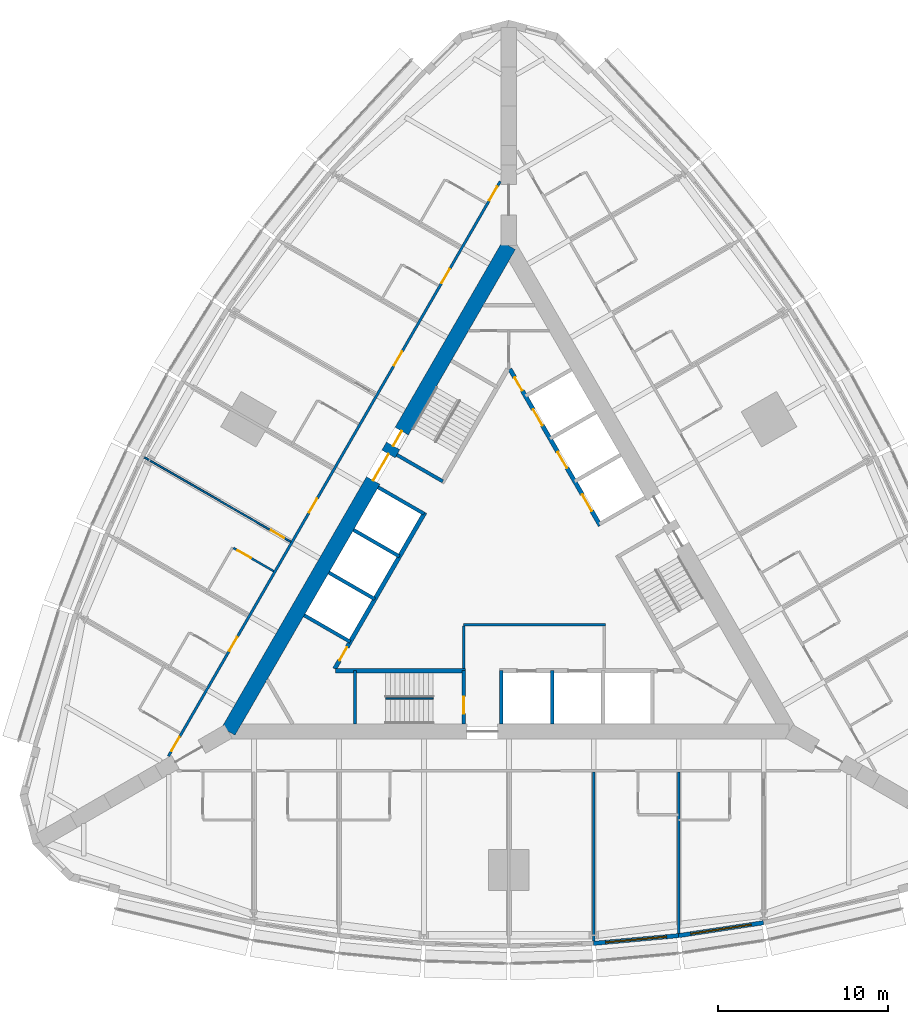
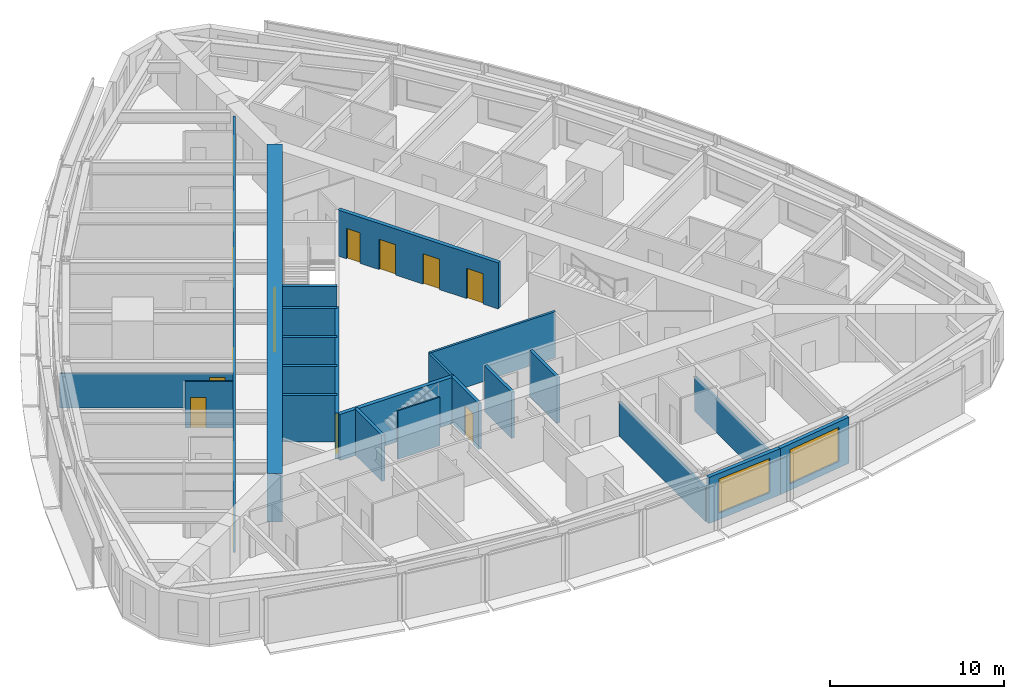
# One storey, part 9 of 14: 23 walls, 16 doors, 2 windows, 18 openings.
"""IFC4 building model written with IfcOpenShell, lengths in metres."""

from ifc_helpers import new_model, si_unit, direction, frame, frame_2d, origin, place, context, subcontext, project, spatial, rectangle, extrude, material, layer, layer_set, type_object, element, fill, save


model = new_model("IFC4")

# Units and contexts
model_context = context("Model", 3, precision=1e-05, world=origin(), true_north=direction((0.0, 1.0)))
body_context = subcontext(model_context, "Body", "Model", "MODEL_VIEW")
ifc_project = project(units=[si_unit("LENGTHUNIT", "METRE"), si_unit("AREAUNIT", "SQUARE_METRE"), si_unit("VOLUMEUNIT", "CUBIC_METRE"), si_unit("PLANEANGLEUNIT", "RADIAN"), si_unit("MASSUNIT", "GRAM", prefix="KILO")], contexts=[model_context])

# Site, building, storey
site_placement = place(None, origin())
site = spatial("IfcSite", under=ifc_project, at=site_placement, CompositionType="ELEMENT")
building_placement = place(site_placement, origin())
building = spatial("IfcBuilding", under=site, at=building_placement, Name="Trikona Tower", CompositionType="ELEMENT")
storey_placement = place(building_placement, frame((0.0, 0.0, 42.10009765625)))
storey = spatial("IfcBuildingStorey", under=building, at=storey_placement, Name="L09", CompositionType="ELEMENT", Elevation=42.10009765625)

# Wall, opening, door
ifc_material_1 = material(Name="Metal stud and cement board", Category="gypsum")
ifc_layer_1 = layer(ifc_material_1, 0.1201171875)
ifc_layer_set_1 = layer_set([ifc_layer_1], Name="Bathroom wall 120")
wall_type_1 = type_object("IfcWallType", Name="Bathroom wall 120", PredefinedType="PLUMBINGWALL", material=ifc_layer_set_1)
wall_1_placement = place(storey_placement, frame((-13.82861328125, -0.09912109375, 0.0), z_axis=(0.0, 0.0, 1.0), x_axis=(-0.865997131366, 0.500048966069, 0.0)))
wall_1 = element("IfcWall", 1, at=wall_1_placement, inside=storey, type_object=wall_type_1, Name="Bathroom wall 0916.1", PredefinedType="PLUMBINGWALL", context=body_context, shape_type="SweptSolid", body=[
    extrude(rectangle(XDim=2.739990234375, YDim=0.1201171875, at=frame_2d((1.3701171875, 0.0))), origin(), (0.0, 0.0, 1.0), 3.23486328125),
])
opening_1_placement = place(wall_1_placement, frame((1.550048828125, 0.0, 0.0)))
opening_1 = element("IfcOpeningElement", 2, at=opening_1_placement, cuts=wall_1, Name="Opening D2", PredefinedType="OPENING", context=body_context, shape_type="SweptSolid", body=[
    extrude(rectangle(XDim=0.89990234375, YDim=2.1298828125, at=frame_2d((0.449951171875, 1.06494140625))), frame((0.0, 0.070068359375, 0.0), z_axis=(0.0, -1.0, 0.0), x_axis=(1.0, 0.0, 0.0)), (0.0, 0.0, 1.0), 0.14013671875),
])
ifc_material_2 = material(Name="Steel door frame with solid-core timber leaf", Category="steel")
door_type_1 = type_object("IfcDoorType", Name="Bathroom door 900x2130", OperationType="SLIDING_TO_LEFT", PredefinedType="DOOR", material=ifc_material_2)
door_1_placement = place(opening_1_placement, origin())
door_1 = element("IfcDoor", 3, at=door_1_placement, inside=storey, type_object=door_type_1, Name="Bathroom door 0916.1", OperationType="SLIDING_TO_LEFT", OverallHeight=2.1298828125, OverallWidth=0.89990234375, PredefinedType="DOOR", context=body_context, shape_type="SweptSolid", body=[
    extrude(rectangle(XDim=0.89990234375, YDim=2.1298828125, at=frame_2d((0.449951171875, 1.06494140625))), frame((0.0, 0.02490234375, 0.0), z_axis=(0.0, -1.0, 0.0), x_axis=(1.0, 0.0, 0.0)), (0.0, 0.0, 1.0), 0.050048828125),
])
fill(opening_1, door_1)

# Wall, openings, doors
ifc_material_3 = material(Name="Concrete f'c 10000 psi", Category="concrete")
ifc_layer_2 = layer(ifc_material_3, 0.89990234375)
ifc_layer_set_2 = layer_set([ifc_layer_2], Name="Core wall 900")
wall_type_2 = type_object("IfcWallType", Name="Core wall 900", PredefinedType="SHEAR", material=ifc_layer_set_2)
wall_2_placement = place(storey_placement, frame((0.0, 19.052490234375, 0.0), z_axis=(0.0, 0.0, 1.0), x_axis=(-0.499999749417, -0.866025548458, 0.0)))
wall_2 = element("IfcWall", 4, at=wall_2_placement, inside=storey, type_object=wall_type_2, Name="Core wall C", PredefinedType="SHEAR", context=body_context, shape_type="SweptSolid", body=[
    extrude(rectangle(XDim=33.0, YDim=0.89990234375, at=frame_2d((16.5, 0.0))), origin(), (0.0, 0.0, 1.0), 3.39990234375),
])
opening_2_placement = place(wall_2_placement, frame((14.14990234375, 0.0, 0.0)))
opening_2 = element("IfcOpeningElement", 5, at=opening_2_placement, cuts=wall_2, Name="Opening D6", PredefinedType="OPENING", context=body_context, shape_type="SweptSolid", body=[
    extrude(rectangle(XDim=1.800048828125, YDim=2.1298828125, at=frame_2d((0.89990234375, 1.06494140625))), frame((0.0, 0.4599609375, 0.0), z_axis=(0.0, -1.0, 0.0), x_axis=(1.0, 0.0, 0.0)), (0.0, 0.0, 1.0), 0.919921875),
])
opening_3_placement = place(wall_2_placement, frame((12.60009765625, 0.0, 0.0)))
opening_3 = element("IfcOpeningElement", 6, at=opening_3_placement, cuts=wall_2, Name="Opening D5", PredefinedType="OPENING", context=body_context, shape_type="SweptSolid", body=[
    extrude(rectangle(XDim=1.0, YDim=2.1298828125, at=frame_2d((0.5, 1.06494140625))), frame((0.0, 0.4599609375, 0.0), z_axis=(0.0, -1.0, 0.0), x_axis=(1.0, 0.0, 0.0)), (0.0, 0.0, 1.0), 0.919921875),
])
ifc_material_4 = material(Name="Hollow metal door and frame", Category="steel")
door_type_2 = type_object("IfcDoorType", Name="Lobby door pair 1800x2130", OperationType="DOUBLE_DOOR_SINGLE_SWING", PredefinedType="DOOR", material=ifc_material_4)
door_2_placement = place(opening_2_placement, origin())
door_2 = element("IfcDoor", 7, at=door_2_placement, inside=storey, type_object=door_type_2, Name="Lift lobby door C", OperationType="DOUBLE_DOOR_SINGLE_SWING", OverallHeight=2.1298828125, OverallWidth=1.800048828125, PredefinedType="DOOR", context=body_context, shape_type="SweptSolid", body=[
    extrude(rectangle(XDim=1.800048828125, YDim=2.1298828125, at=frame_2d((0.89990234375, 1.06494140625))), frame((0.0, 0.02490234375, 0.0), z_axis=(0.0, -1.0, 0.0), x_axis=(1.0, 0.0, 0.0)), (0.0, 0.0, 1.0), 0.050048828125),
])
fill(opening_2, door_2)
ifc_material_5 = material(Name="Hollow metal door and frame", Category="steel")
door_type_3 = type_object("IfcDoorType", Name="Stair door 1000x2130", OperationType="SINGLE_SWING_LEFT", PredefinedType="DOOR", material=ifc_material_5)
door_3_placement = place(opening_3_placement, origin())
door_3 = element("IfcDoor", 8, at=door_3_placement, inside=storey, type_object=door_type_3, Name="Stair C door", OperationType="SINGLE_SWING_RIGHT", OverallHeight=2.1298828125, OverallWidth=1.0, PredefinedType="DOOR", context=body_context, shape_type="SweptSolid", body=[
    extrude(rectangle(XDim=1.0, YDim=2.1298828125, at=frame_2d((0.5, 1.06494140625))), frame((0.0, 0.02490234375, 0.0), z_axis=(0.0, -1.0, 0.0), x_axis=(1.0, 0.0, 0.0)), (0.0, 0.0, 1.0), 0.050048828125),
])
fill(opening_3, door_3)

ifc_material_6 = material(Name="Metal stud and gypsum board, 1-hour", Category="gypsum")
ifc_layer_3 = layer(ifc_material_6, 0.14990234375)
ifc_layer_set_3 = layer_set([ifc_layer_3], Name="Corridor wall 150")
wall_type_3 = type_object("IfcWallType", Name="Corridor wall 150", PredefinedType="PARTITIONING", material=ifc_layer_set_3)
wall_3_placement = place(storey_placement, frame((-0.5, 22.83642578125, 0.0), z_axis=(0.0, 0.0, 1.0), x_axis=(-0.500001677587, -0.866024435227, 0.0)))
wall_3 = element("IfcWall", 9, at=wall_3_placement, inside=storey, type_object=wall_type_3, Name="Corridor wall L09-3", PredefinedType="PARTITIONING", context=body_context, shape_type="SweptSolid", body=[
    extrude(rectangle(XDim=39.053955078125, YDim=0.14990234375, at=frame_2d((19.52685546875, 0.0))), origin(), (0.0, 0.0, 1.0), 3.23486328125),
])
opening_4_placement = place(wall_3_placement, frame((0.35205078125, 0.0, 0.0)))
opening_4 = element("IfcOpeningElement", 10, at=opening_4_placement, cuts=wall_3, Name="Opening D1", PredefinedType="OPENING", context=body_context, shape_type="SweptSolid", body=[
    extrude(rectangle(XDim=0.949951171875, YDim=2.1298828125, at=frame_2d((0.47509765625, 1.06494140625))), frame((0.0, 0.0849609375, 0.0), z_axis=(0.0, -1.0, 0.0), x_axis=(1.0, 0.0, 0.0)), (0.0, 0.0, 1.0), 0.169921875),
])
opening_5_placement = place(wall_3_placement, frame((5.951904296875, 0.0, 0.0)))
opening_5 = element("IfcOpeningElement", 11, at=opening_5_placement, cuts=wall_3, Name="Opening D1", PredefinedType="OPENING", context=body_context, shape_type="SweptSolid", body=[
    extrude(rectangle(XDim=0.949951171875, YDim=2.1298828125, at=frame_2d((0.47509765625, 1.06494140625))), frame((0.0, 0.0849609375, 0.0), z_axis=(0.0, -1.0, 0.0), x_axis=(1.0, 0.0, 0.0)), (0.0, 0.0, 1.0), 0.169921875),
])
opening_6_placement = place(wall_3_placement, frame((11.552001953125, 0.0, 0.0)))
opening_6 = element("IfcOpeningElement", 12, at=opening_6_placement, cuts=wall_3, Name="Opening D1", PredefinedType="OPENING", context=body_context, shape_type="SweptSolid", body=[
    extrude(rectangle(XDim=0.949951171875, YDim=2.1298828125, at=frame_2d((0.47509765625, 1.06494140625))), frame((0.0, 0.0849609375, 0.0), z_axis=(0.0, -1.0, 0.0), x_axis=(1.0, 0.0, 0.0)), (0.0, 0.0, 1.0), 0.169921875),
])
opening_7_placement = place(wall_3_placement, frame((21.552001953125, 0.0, 0.0)))
opening_7 = element("IfcOpeningElement", 13, at=opening_7_placement, cuts=wall_3, Name="Opening D1", PredefinedType="OPENING", context=body_context, shape_type="SweptSolid", body=[
    extrude(rectangle(XDim=0.949951171875, YDim=2.1298828125, at=frame_2d((0.47509765625, 1.06494140625))), frame((0.0, 0.0849609375, 0.0), z_axis=(0.0, -1.0, 0.0), x_axis=(1.0, 0.0, 0.0)), (0.0, 0.0, 1.0), 0.169921875),
])
opening_8_placement = place(wall_3_placement, frame((30.951904296875, 0.0, 0.0)))
opening_8 = element("IfcOpeningElement", 14, at=opening_8_placement, cuts=wall_3, Name="Opening D1", PredefinedType="OPENING", context=body_context, shape_type="SweptSolid", body=[
    extrude(rectangle(XDim=0.949951171875, YDim=2.1298828125, at=frame_2d((0.47509765625, 1.06494140625))), frame((0.0, 0.0849609375, 0.0), z_axis=(0.0, -1.0, 0.0), x_axis=(1.0, 0.0, 0.0)), (0.0, 0.0, 1.0), 0.169921875),
])
opening_9_placement = place(wall_3_placement, frame((37.751953125, 0.0, 0.0)))
opening_9 = element("IfcOpeningElement", 15, at=opening_9_placement, cuts=wall_3, Name="Opening D1", PredefinedType="OPENING", context=body_context, shape_type="SweptSolid", body=[
    extrude(rectangle(XDim=0.949951171875, YDim=2.1298828125, at=frame_2d((0.47509765625, 1.06494140625))), frame((0.0, 0.0849609375, 0.0), z_axis=(0.0, -1.0, 0.0), x_axis=(1.0, 0.0, 0.0)), (0.0, 0.0, 1.0), 0.169921875),
])
ifc_material_7 = material(Name="Steel door frame with solid-core timber leaf", Category="steel")
door_type_4 = type_object("IfcDoorType", Name="Guest room door 950x2130", OperationType="SINGLE_SWING_LEFT", PredefinedType="DOOR", material=ifc_material_7)
door_4_placement = place(opening_4_placement, origin())
door_4 = element("IfcDoor", 16, at=door_4_placement, inside=storey, type_object=door_type_4, Name="Room door 0913", OperationType="SINGLE_SWING_LEFT", OverallHeight=2.1298828125, OverallWidth=0.949951171875, PredefinedType="DOOR", context=body_context, shape_type="SweptSolid", body=[
    extrude(rectangle(XDim=0.949951171875, YDim=2.1298828125, at=frame_2d((0.47509765625, 1.06494140625))), frame((0.0, 0.02490234375, 0.0), z_axis=(0.0, -1.0, 0.0), x_axis=(1.0, 0.0, 0.0)), (0.0, 0.0, 1.0), 0.050048828125),
])
fill(opening_4, door_4)
door_5_placement = place(opening_5_placement, origin())
door_5 = element("IfcDoor", 17, at=door_5_placement, inside=storey, type_object=door_type_4, Name="Room door 0914", OperationType="SINGLE_SWING_RIGHT", OverallHeight=2.1298828125, OverallWidth=0.949951171875, PredefinedType="DOOR", context=body_context, shape_type="SweptSolid", body=[
    extrude(rectangle(XDim=0.949951171875, YDim=2.1298828125, at=frame_2d((0.47509765625, 1.06494140625))), frame((0.0, 0.02490234375, 0.0), z_axis=(0.0, -1.0, 0.0), x_axis=(1.0, 0.0, 0.0)), (0.0, 0.0, 1.0), 0.050048828125),
])
fill(opening_5, door_5)
door_6_placement = place(opening_6_placement, origin())
door_6 = element("IfcDoor", 18, at=door_6_placement, inside=storey, type_object=door_type_4, Name="Room door 0915", OperationType="SINGLE_SWING_LEFT", OverallHeight=2.1298828125, OverallWidth=0.949951171875, PredefinedType="DOOR", context=body_context, shape_type="SweptSolid", body=[
    extrude(rectangle(XDim=0.949951171875, YDim=2.1298828125, at=frame_2d((0.47509765625, 1.06494140625))), frame((0.0, 0.02490234375, 0.0), z_axis=(0.0, -1.0, 0.0), x_axis=(1.0, 0.0, 0.0)), (0.0, 0.0, 1.0), 0.050048828125),
])
fill(opening_6, door_6)
door_7_placement = place(opening_7_placement, origin())
door_7 = element("IfcDoor", 19, at=door_7_placement, inside=storey, type_object=door_type_4, Name="Room door 0916", OperationType="SINGLE_SWING_RIGHT", OverallHeight=2.1298828125, OverallWidth=0.949951171875, PredefinedType="DOOR", context=body_context, shape_type="SweptSolid", body=[
    extrude(rectangle(XDim=0.949951171875, YDim=2.1298828125, at=frame_2d((0.47509765625, 1.06494140625))), frame((0.0, 0.02490234375, 0.0), z_axis=(0.0, -1.0, 0.0), x_axis=(1.0, 0.0, 0.0)), (0.0, 0.0, 1.0), 0.050048828125),
])
fill(opening_7, door_7)
door_8_placement = place(opening_8_placement, origin())
door_8 = element("IfcDoor", 20, at=door_8_placement, inside=storey, type_object=door_type_4, Name="Room door 0917", OperationType="SINGLE_SWING_LEFT", OverallHeight=2.1298828125, OverallWidth=0.949951171875, PredefinedType="DOOR", context=body_context, shape_type="SweptSolid", body=[
    extrude(rectangle(XDim=0.949951171875, YDim=2.1298828125, at=frame_2d((0.47509765625, 1.06494140625))), frame((0.0, 0.02490234375, 0.0), z_axis=(0.0, -1.0, 0.0), x_axis=(1.0, 0.0, 0.0)), (0.0, 0.0, 1.0), 0.050048828125),
])
fill(opening_8, door_8)
door_9_placement = place(opening_9_placement, origin())
door_9 = element("IfcDoor", 21, at=door_9_placement, inside=storey, type_object=door_type_4, Name="Room door 0918", OperationType="SINGLE_SWING_RIGHT", OverallHeight=2.1298828125, OverallWidth=0.949951171875, PredefinedType="DOOR", context=body_context, shape_type="SweptSolid", body=[
    extrude(rectangle(XDim=0.949951171875, YDim=2.1298828125, at=frame_2d((0.47509765625, 1.06494140625))), frame((0.0, 0.02490234375, 0.0), z_axis=(0.0, -1.0, 0.0), x_axis=(1.0, 0.0, 0.0)), (0.0, 0.0, 1.0), 0.050048828125),
])
fill(opening_9, door_9)

# Wall
ifc_material_8 = material(Name="Concrete f'c 8000 psi", Category="concrete")
ifc_layer_4 = layer(ifc_material_8, 0.25)
ifc_layer_set_4 = layer_set([ifc_layer_4], Name="Hub wall 250")
wall_type_4 = type_object("IfcWallType", Name="Hub wall 250", PredefinedType="SOLIDWALL", material=ifc_layer_set_4)
wall_4_placement = place(storey_placement, frame((-10.182861328125, -5.951416015625, 0.0), z_axis=(0.0, 0.0, 1.0), x_axis=(1.0, 0.0, 0.0)))
element("IfcWall", 22, at=wall_4_placement, inside=storey, type_object=wall_type_4, Name="Lift lobby wall A1", PredefinedType="SOLIDWALL", context=body_context, shape_type="SweptSolid", body=[
    extrude(rectangle(XDim=7.6328125, YDim=0.25, at=frame_2d((3.81640625, 0.0))), origin(), (0.0, 0.0, 1.0), 3.23486328125),
])

# Wall, openings, doors
wall_5_placement = place(storey_placement, frame((5.37890625, 2.5859375, 0.0), z_axis=(0.0, 0.0, 1.0), x_axis=(-0.500001375892, 0.866024609411, 0.0)))
wall_5 = element("IfcWall", 23, at=wall_5_placement, inside=storey, type_object=wall_type_4, Name="Lift lobby wall B2", PredefinedType="SOLIDWALL", context=body_context, shape_type="SweptSolid", body=[
    extrude(rectangle(XDim=10.6328125, YDim=0.25, at=frame_2d((5.31640625, 0.0))), origin(), (0.0, 0.0, 1.0), 3.23486328125),
])
opening_10_placement = place(wall_5_placement, frame((9.1640625, 0.0, 0.0)))
opening_10 = element("IfcOpeningElement", 24, at=opening_10_placement, cuts=wall_5, Name="Opening D14", PredefinedType="OPENING", context=body_context, shape_type="SweptSolid", body=[
    extrude(rectangle(XDim=0.89990234375, YDim=2.1298828125, at=frame_2d((0.449951171875, 1.06494140625))), frame((0.0, 0.135009765625, 0.0), z_axis=(0.0, -1.0, 0.0), x_axis=(1.0, 0.0, 0.0)), (0.0, 0.0, 1.0), 0.27001953125),
])
opening_11_placement = place(wall_5_placement, frame((1.0, 0.0, 0.0)))
opening_11 = element("IfcOpeningElement", 25, at=opening_11_placement, cuts=wall_5, Name="Opening LD", PredefinedType="OPENING", context=body_context, shape_type="SweptSolid", body=[
    extrude(rectangle(XDim=1.10009765625, YDim=2.1298828125, at=frame_2d((0.550048828125, 1.06494140625))), frame((0.0, 0.135009765625, 0.0), z_axis=(0.0, -1.0, 0.0), x_axis=(1.0, 0.0, 0.0)), (0.0, 0.0, 1.0), 0.27001953125),
])
opening_12_placement = place(wall_5_placement, frame((3.89990234375, 0.0, 0.0)))
opening_12 = element("IfcOpeningElement", 26, at=opening_12_placement, cuts=wall_5, Name="Opening LD", PredefinedType="OPENING", context=body_context, shape_type="SweptSolid", body=[
    extrude(rectangle(XDim=1.10009765625, YDim=2.1298828125, at=frame_2d((0.550048828125, 1.06494140625))), frame((0.0, 0.135009765625, 0.0), z_axis=(0.0, -1.0, 0.0), x_axis=(1.0, 0.0, 0.0)), (0.0, 0.0, 1.0), 0.27001953125),
])
opening_13_placement = place(wall_5_placement, frame((6.800048828125, 0.0, 0.0)))
opening_13 = element("IfcOpeningElement", 27, at=opening_13_placement, cuts=wall_5, Name="Opening LD", PredefinedType="OPENING", context=body_context, shape_type="SweptSolid", body=[
    extrude(rectangle(XDim=1.10009765625, YDim=2.1298828125, at=frame_2d((0.550048828125, 1.06494140625))), frame((0.0, 0.135009765625, 0.0), z_axis=(0.0, -1.0, 0.0), x_axis=(1.0, 0.0, 0.0)), (0.0, 0.0, 1.0), 0.27001953125),
])
ifc_material_9 = material(Name="Stainless steel lift landing door", Category="steel")
door_type_5 = type_object("IfcDoorType", Name="Lift landing door 1100x2130", OperationType="DOUBLE_DOOR_SLIDING", PredefinedType="USERDEFINED", material=ifc_material_9)
door_10_placement = place(opening_11_placement, origin())
door_10 = element("IfcDoor", 28, at=door_10_placement, inside=storey, type_object=door_type_5, Name="Lift landing door L1-1", ObjectType="LIFT LANDING DOOR", OperationType="DOUBLE_DOOR_SLIDING", OverallHeight=2.1298828125, OverallWidth=1.10009765625, PredefinedType="USERDEFINED", context=body_context, shape_type="SweptSolid", body=[
    extrude(rectangle(XDim=1.10009765625, YDim=2.1298828125, at=frame_2d((0.550048828125, 1.06494140625))), frame((0.0, 0.02490234375, 0.0), z_axis=(0.0, -1.0, 0.0), x_axis=(1.0, 0.0, 0.0)), (0.0, 0.0, 1.0), 0.050048828125),
])
fill(opening_11, door_10)
door_11_placement = place(opening_12_placement, origin())
door_11 = element("IfcDoor", 29, at=door_11_placement, inside=storey, type_object=door_type_5, Name="Lift landing door L1-2", ObjectType="LIFT LANDING DOOR", OperationType="DOUBLE_DOOR_SLIDING", OverallHeight=2.1298828125, OverallWidth=1.10009765625, PredefinedType="USERDEFINED", context=body_context, shape_type="SweptSolid", body=[
    extrude(rectangle(XDim=1.10009765625, YDim=2.1298828125, at=frame_2d((0.550048828125, 1.06494140625))), frame((0.0, 0.02490234375, 0.0), z_axis=(0.0, -1.0, 0.0), x_axis=(1.0, 0.0, 0.0)), (0.0, 0.0, 1.0), 0.050048828125),
])
fill(opening_12, door_11)
door_12_placement = place(opening_13_placement, origin())
door_12 = element("IfcDoor", 30, at=door_12_placement, inside=storey, type_object=door_type_5, Name="Lift landing door L1-3", ObjectType="LIFT LANDING DOOR", OperationType="DOUBLE_DOOR_SLIDING", OverallHeight=2.1298828125, OverallWidth=1.10009765625, PredefinedType="USERDEFINED", context=body_context, shape_type="SweptSolid", body=[
    extrude(rectangle(XDim=1.10009765625, YDim=2.1298828125, at=frame_2d((0.550048828125, 1.06494140625))), frame((0.0, 0.02490234375, 0.0), z_axis=(0.0, -1.0, 0.0), x_axis=(1.0, 0.0, 0.0)), (0.0, 0.0, 1.0), 0.050048828125),
])
fill(opening_13, door_12)
ifc_material_10 = material(Name="Hollow metal door and frame", Category="steel")
door_type_6 = type_object("IfcDoorType", Name="Service room door 900x2130", OperationType="SINGLE_SWING_LEFT", PredefinedType="DOOR", material=ifc_material_10)
door_13_placement = place(opening_10_placement, origin())
door_13 = element("IfcDoor", 31, at=door_13_placement, inside=storey, type_object=door_type_6, Name="Door Ice and vending ICE", OperationType="SINGLE_SWING_RIGHT", OverallHeight=2.1298828125, OverallWidth=0.89990234375, PredefinedType="DOOR", context=body_context, shape_type="SweptSolid", body=[
    extrude(rectangle(XDim=0.89990234375, YDim=2.1298828125, at=frame_2d((0.449951171875, 1.06494140625))), frame((0.0, 0.02490234375, 0.0), z_axis=(0.0, -1.0, 0.0), x_axis=(1.0, 0.0, 0.0)), (0.0, 0.0, 1.0), 0.050048828125),
])
fill(opening_10, door_13)

# Wall, opening, door
wall_6_placement = place(storey_placement, frame((-4.928955078125, 3.365478515625, 0.0), z_axis=(0.0, 0.0, 1.0), x_axis=(-0.499991433582, -0.866030349552, 0.0)))
wall_6 = element("IfcWall", 32, at=wall_6_placement, inside=storey, type_object=wall_type_4, Name="Lift lobby wall C2", PredefinedType="SOLIDWALL", context=body_context, shape_type="SweptSolid", body=[
    extrude(rectangle(XDim=10.633056640625, YDim=0.25, at=frame_2d((5.31640625, 0.0))), origin(), (0.0, 0.0, 1.0), 3.23486328125),
])
opening_14_placement = place(wall_6_placement, frame((9.1640625, 0.0, 0.0)))
opening_14 = element("IfcOpeningElement", 33, at=opening_14_placement, cuts=wall_6, Name="Opening D14", PredefinedType="OPENING", context=body_context, shape_type="SweptSolid", body=[
    extrude(rectangle(XDim=0.89990234375, YDim=2.1298828125, at=frame_2d((0.449951171875, 1.06494140625))), frame((0.0, 0.135009765625, 0.0), z_axis=(0.0, -1.0, 0.0), x_axis=(1.0, 0.0, 0.0)), (0.0, 0.0, 1.0), 0.27001953125),
])
door_14_placement = place(opening_14_placement, origin())
door_14 = element("IfcDoor", 34, at=door_14_placement, inside=storey, type_object=door_type_6, Name="Door Linen store LIN", OperationType="SINGLE_SWING_RIGHT", OverallHeight=2.1298828125, OverallWidth=0.89990234375, PredefinedType="DOOR", context=body_context, shape_type="SweptSolid", body=[
    extrude(rectangle(XDim=0.89990234375, YDim=2.1298828125, at=frame_2d((0.449951171875, 1.06494140625))), frame((0.0, 0.02490234375, 0.0), z_axis=(0.0, -1.0, 0.0), x_axis=(1.0, 0.0, 0.0)), (0.0, 0.0, 1.0), 0.050048828125),
])
fill(opening_14, door_14)

# Wall, opening, window
ifc_material_11 = material(Name="Insulated precast concrete spandrel panel", Category="concrete")
ifc_layer_5 = layer(ifc_material_11, 0.25)
ifc_layer_set_5 = layer_set([ifc_layer_5], Name="Inner skin wall 250")
wall_type_5 = type_object("IfcWallType", Name="Inner skin wall 250", PredefinedType="STANDARD", material=ifc_layer_set_5)
wall_7_placement = place(storey_placement, frame((4.988525390625, -21.995849609375, 0.0), z_axis=(0.0, 0.0, 1.0), x_axis=(0.995857256774, 0.090930325692, 0.0)))
wall_7 = element("IfcWall", 35, at=wall_7_placement, inside=storey, type_object=wall_type_5, Name="External wall L09-05", PredefinedType="STANDARD", context=body_context, shape_type="SweptSolid", body=[
    extrude(rectangle(XDim=5.020751953125, YDim=0.25, at=frame_2d((2.51025390625, 0.0))), origin(), (0.0, 0.0, 1.0), 3.23486328125),
])
opening_15_placement = place(wall_7_placement, frame((0.71044921875, 0.0, 0.449951171875)))
opening_15 = element("IfcOpeningElement", 36, at=opening_15_placement, cuts=wall_7, Name="Opening W3624", PredefinedType="OPENING", context=body_context, shape_type="SweptSolid", body=[
    extrude(rectangle(XDim=3.60009765625, YDim=2.39990234375, at=frame_2d((1.800048828125, 1.199951171875))), frame((0.0, 0.135009765625, 0.0), z_axis=(0.0, -1.0, 0.0), x_axis=(1.0, 0.0, 0.0)), (0.0, 0.0, 1.0), 0.27001953125),
])
ifc_material_12 = material(Name="Aluminium-framed double glazing", Category="aluminium")
window_type = type_object("IfcWindowType", Name="Window 3600x2400", PartitioningType="SINGLE_PANEL", PredefinedType="WINDOW", material=ifc_material_12)
window_1_placement = place(opening_15_placement, origin())
window_1 = element("IfcWindow", 37, at=window_1_placement, inside=storey, type_object=window_type, Name="Window 0904", OverallHeight=2.39990234375, OverallWidth=3.60009765625, PartitioningType="SINGLE_PANEL", PredefinedType="WINDOW", context=body_context, shape_type="SweptSolid", body=[
    extrude(rectangle(XDim=3.60009765625, YDim=2.39990234375, at=frame_2d((1.800048828125, 1.199951171875))), frame((0.0, 0.030029296875, 0.0), z_axis=(0.0, -1.0, 0.0), x_axis=(1.0, 0.0, 0.0)), (0.0, 0.0, 1.0), 0.06005859375),
])
fill(opening_15, window_1)

wall_8_placement = place(storey_placement, frame((9.981201171875, -21.540283203125, 0.0), z_axis=(0.0, 0.0, 1.0), x_axis=(0.988615403399, 0.150464561152, 0.0)))
wall_8 = element("IfcWall", 38, at=wall_8_placement, inside=storey, type_object=wall_type_5, Name="External wall L09-06", PredefinedType="STANDARD", context=body_context, shape_type="SweptSolid", body=[
    extrude(rectangle(XDim=5.0576171875, YDim=0.25, at=frame_2d((2.52880859375, 0.0))), origin(), (0.0, 0.0, 1.0), 3.23486328125),
])
opening_16_placement = place(wall_8_placement, frame((0.728759765625, 0.0, 0.449951171875)))
opening_16 = element("IfcOpeningElement", 39, at=opening_16_placement, cuts=wall_8, Name="Opening W3624", PredefinedType="OPENING", context=body_context, shape_type="SweptSolid", body=[
    extrude(rectangle(XDim=3.60009765625, YDim=2.39990234375, at=frame_2d((1.800048828125, 1.199951171875))), frame((0.0, 0.135009765625, 0.0), z_axis=(0.0, -1.0, 0.0), x_axis=(1.0, 0.0, 0.0)), (0.0, 0.0, 1.0), 0.27001953125),
])
window_2_placement = place(opening_16_placement, origin())
window_2 = element("IfcWindow", 40, at=window_2_placement, inside=storey, type_object=window_type, Name="Window 0905.1", OverallHeight=2.39990234375, OverallWidth=3.60009765625, PartitioningType="SINGLE_PANEL", PredefinedType="WINDOW", context=body_context, shape_type="SweptSolid", body=[
    extrude(rectangle(XDim=3.60009765625, YDim=2.39990234375, at=frame_2d((1.800048828125, 1.199951171875))), frame((0.0, 0.030029296875, 0.0), z_axis=(0.0, -1.0, 0.0), x_axis=(1.0, 0.0, 0.0)), (0.0, 0.0, 1.0), 0.06005859375),
])
fill(opening_16, window_2)

# Walls
ifc_material_13 = material(Name="Metal stud and gypsum board, 2-hour shaft wall", Category="gypsum")
ifc_layer_6 = layer(ifc_material_13, 0.14990234375)
ifc_layer_set_6 = layer_set([ifc_layer_6], Name="Lobby wall 150")
wall_type_6 = type_object("IfcWallType", Name="Lobby wall 150", PredefinedType="PARTITIONING", material=ifc_layer_set_6)
wall_9_placement = place(storey_placement, frame((-2.64990234375, -3.251220703125, 0.0), z_axis=(0.0, 0.0, 1.0), x_axis=(1.0, 0.0, 0.0)))
element("IfcWall", 41, at=wall_9_placement, inside=storey, type_object=wall_type_6, Name="Fire service lift lobby wall 1", PredefinedType="PARTITIONING", context=body_context, shape_type="SweptSolid", body=[
    extrude(rectangle(XDim=8.349853515625, YDim=0.14990234375, at=frame_2d((4.1748046875, 0.0))), origin(), (0.0, 0.0, 1.0), 3.23486328125),
])
wall_10_placement = place(storey_placement, frame((-2.64990234375, -5.826416015625, 0.0), z_axis=(0.0, 0.0, 1.0), x_axis=(0.0, 1.0, 0.0)))
element("IfcWall", 42, at=wall_10_placement, inside=storey, type_object=wall_type_6, Name="Fire service lift lobby wall 2", PredefinedType="PARTITIONING", context=body_context, shape_type="SweptSolid", body=[
    extrude(rectangle(XDim=2.5, YDim=0.14990234375, at=frame_2d((1.25, 0.0))), origin(), (0.0, 0.0, 1.0), 3.23486328125),
])
ifc_material_14 = material(Name="Metal stud and gypsum board, 1-hour acoustic", Category="gypsum")
ifc_layer_7 = layer(ifc_material_14, 0.14990234375)
ifc_layer_set_7 = layer_set([ifc_layer_7], Name="Party wall 150")
wall_type_7 = type_object("IfcWallType", Name="Party wall 150", PredefinedType="PARTITIONING", material=ifc_layer_set_7)
wall_11_placement = place(storey_placement, frame((5.0, -11.92626953125, 0.0), z_axis=(0.0, 0.0, 1.0), x_axis=(0.0, -1.0, 0.0)))
element("IfcWall", 43, at=wall_11_placement, inside=storey, type_object=wall_type_7, Name="Partition L09 F1 u5", PredefinedType="PARTITIONING", context=body_context, shape_type="SweptSolid", body=[
    extrude(rectangle(XDim=9.943115234375, YDim=0.14990234375, at=frame_2d((4.9716796875, 0.0))), origin(), (0.0, 0.0, 1.0), 2.38916015625),
])
wall_12_placement = place(storey_placement, frame((10.0, -11.92626953125, 0.0), z_axis=(0.0, 0.0, 1.0), x_axis=(0.0, -1.0, 0.0)))
element("IfcWall", 44, at=wall_12_placement, inside=storey, type_object=wall_type_7, Name="Partition L09 F1 u10", PredefinedType="PARTITIONING", context=body_context, shape_type="SweptSolid", body=[
    extrude(rectangle(XDim=9.484619140625, YDim=0.14990234375, at=frame_2d((4.7421875, 0.0))), origin(), (0.0, 0.0, 1.0), 2.38916015625),
])
ifc_material_15 = material(Name="Concrete f'c 8000 psi", Category="concrete")
ifc_layer_8 = layer(ifc_material_15, 0.199951171875)
ifc_layer_set_8 = layer_set([ifc_layer_8], Name="Shaft wall 200")
wall_type_8 = type_object("IfcWallType", Name="Shaft wall 200", PredefinedType="SOLIDWALL", material=ifc_layer_set_8)
for number, where, z_axis, x_axis, name in (
    (45, (-0.449951171875, -5.951416015625, 0.0), (0.0, 0.0, 1.0), (0.0, -1.0, 0.0), "Shaft wall A3"),
    (46, (2.550048828125, -5.951416015625, 0.0), (0.0, 0.0, 1.0), (0.0, -1.0, 0.0), "Shaft wall A4"),
    (47, (-4.97900390625, 3.27880859375, 0.0), (0.0, 0.0, 1.0), (-0.866022959057, 0.500004234368, 0.0), "Shaft wall C3"),
    (48, (-6.428955078125, 0.767333984375, 0.0), (0.0, 0.0, 1.0), (-0.866022959057, 0.500004234368, 0.0), "Shaft wall C4"),
    (49, (-7.87890625, -1.744140625, 0.0), (0.0, 0.0, 1.0), (-0.866022959057, 0.500004234368, 0.0), "Shaft wall C5"),
    (50, (-9.3291015625, -4.255615234375, 0.0), (0.0, 0.0, 1.0), (-0.866022959057, 0.500004234368, 0.0), "Shaft wall C6"),
):
    element("IfcWall", number, at=place(storey_placement, frame(where, z_axis=z_axis, x_axis=x_axis)), inside=storey, type_object=wall_type_8, Name=name, PredefinedType="SOLIDWALL", context=body_context, shape_type="SweptSolid", body=[
        extrude(rectangle(XDim=3.125, YDim=0.199951171875, at=frame_2d((1.5625, 0.0))), origin(), (0.0, 0.0, 1.0), 3.23486328125),
    ])
ifc_material_16 = material(Name="Concrete f'c 8000 psi", Category="concrete")
ifc_layer_9 = layer(ifc_material_16, 0.199951171875)
ifc_layer_set_9 = layer_set([ifc_layer_9], Name="Shaft wall 200 load-bearing")
wall_type_9 = type_object("IfcWallType", Name="Shaft wall 200 load-bearing", PredefinedType="SOLIDWALL", material=ifc_layer_set_9)
wall_13_placement = place(storey_placement, frame((-9.050048828125, -5.951416015625, 0.0), z_axis=(0.0, 0.0, 1.0), x_axis=(0.0, -1.0, 0.0)))
element("IfcWall", 51, at=wall_13_placement, inside=storey, type_object=wall_type_9, Name="Shaft wall A1", PredefinedType="SOLIDWALL", context=body_context, shape_type="SweptSolid", body=[
    extrude(rectangle(XDim=3.125, YDim=0.199951171875, at=frame_2d((1.5625, 0.0))), origin(), (0.0, 0.0, 1.0), 3.23486328125),
])

# Wall, opening, door
wall_14_placement = place(storey_placement, frame((-2.64990234375, -5.951416015625, 0.0), z_axis=(0.0, 0.0, 1.0), x_axis=(0.0, -1.0, 0.0)))
wall_14 = element("IfcWall", 52, at=wall_14_placement, inside=storey, type_object=wall_type_9, Name="Shaft wall A2", PredefinedType="SOLIDWALL", context=body_context, shape_type="SweptSolid", body=[
    extrude(rectangle(XDim=3.125, YDim=0.199951171875, at=frame_2d((1.5625, 0.0))), origin(), (0.0, 0.0, 1.0), 3.23486328125),
])
opening_17_placement = place(wall_14_placement, frame((1.52490234375, 0.0, 0.0)))
opening_17 = element("IfcOpeningElement", 53, at=opening_17_placement, cuts=wall_14, Name="Opening D5", PredefinedType="OPENING", context=body_context, shape_type="SweptSolid", body=[
    extrude(rectangle(XDim=1.0, YDim=2.1298828125, at=frame_2d((0.5, 1.06494140625))), frame((0.0, 0.10986328125, 0.0), z_axis=(0.0, -1.0, 0.0), x_axis=(1.0, 0.0, 0.0)), (0.0, 0.0, 1.0), 0.219970703125),
])
door_15_placement = place(opening_17_placement, origin())
door_15 = element("IfcDoor", 54, at=door_15_placement, inside=storey, type_object=door_type_3, Name="Stair A door", OperationType="SINGLE_SWING_RIGHT", OverallHeight=2.1298828125, OverallWidth=1.0, PredefinedType="DOOR", context=body_context, shape_type="SweptSolid", body=[
    extrude(rectangle(XDim=1.0, YDim=2.1298828125, at=frame_2d((0.5, 1.06494140625))), frame((0.0, 0.02490234375, 0.0), z_axis=(0.0, -1.0, 0.0), x_axis=(1.0, 0.0, 0.0)), (0.0, 0.0, 1.0), 0.050048828125),
])
fill(opening_17, door_15)

# Walls
wall_15_placement = place(storey_placement, frame((-3.87890625, 5.18408203125, 0.0), z_axis=(0.0, 0.0, 1.0), x_axis=(-0.866022959057, 0.500004234368, 0.0)))
element("IfcWall", 55, at=wall_15_placement, inside=storey, type_object=wall_type_9, Name="Shaft wall C2", PredefinedType="SOLIDWALL", context=body_context, shape_type="SweptSolid", body=[
    extrude(rectangle(XDim=3.125, YDim=0.199951171875, at=frame_2d((1.5625, 0.0))), origin(), (0.0, 0.0, 1.0), 3.23486328125),
])
ifc_material_17 = material(Name="Concrete f'c 5000 psi", Category="concrete")
ifc_layer_10 = layer(ifc_material_17, 0.10009765625)
ifc_layer_set_10 = layer_set([ifc_layer_10], Name="Stair spine wall 100")
wall_type_10 = type_object("IfcWallType", Name="Stair spine wall 100", PredefinedType="SOLIDWALL", material=ifc_layer_set_10)
wall_16_placement = place(storey_placement, frame((-7.2470703125, -7.576416015625, 0.0), z_axis=(0.0, 0.0, 1.0), x_axis=(1.0, 0.0, 0.0)))
element("IfcWall", 56, at=wall_16_placement, inside=storey, type_object=wall_type_10, Name="Stair A spine wall L09", PredefinedType="SOLIDWALL", context=body_context, shape_type="SweptSolid", body=[
    extrude(rectangle(XDim=2.794189453125, YDim=0.10009765625, at=frame_2d((1.39697265625, 0.0))), origin(), (0.0, 0.0, 1.0), 3.39990234375),
])

# Wall, opening, door
ifc_material_18 = material(Name="Metal stud and gypsum board, acoustic", Category="gypsum")
ifc_layer_11 = layer(ifc_material_18, 0.10009765625)
ifc_layer_set_11 = layer_set([ifc_layer_11], Name="Suite partition 100")
wall_type_11 = type_object("IfcWallType", Name="Suite partition 100", PredefinedType="PARTITIONING", material=ifc_layer_set_11)
wall_17_placement = place(storey_placement, frame((-12.82861328125, 1.633056640625, 0.0), z_axis=(0.0, 0.0, 1.0), x_axis=(-0.866026934769, 0.499997348248, 0.0)))
wall_17 = element("IfcWall", 57, at=wall_17_placement, inside=storey, type_object=wall_type_11, Name="Suite partition L09 F3 u5", PredefinedType="PARTITIONING", context=body_context, shape_type="SweptSolid", body=[
    extrude(rectangle(XDim=9.94287109375, YDim=0.10009765625, at=frame_2d((4.971435546875, 0.0))), origin(), (0.0, 0.0, 1.0), 2.38916015625),
])
opening_18_placement = place(wall_17_placement, frame((0.449951171875, 0.0, 0.0)))
opening_18 = element("IfcOpeningElement", 58, at=opening_18_placement, cuts=wall_17, Name="Opening D13", PredefinedType="OPENING", context=body_context, shape_type="SweptSolid", body=[
    extrude(rectangle(XDim=0.89990234375, YDim=2.1298828125, at=frame_2d((0.449951171875, 1.06494140625))), frame((0.0, 0.06005859375, 0.0), z_axis=(0.0, -1.0, 0.0), x_axis=(1.0, 0.0, 0.0)), (0.0, 0.0, 1.0), 0.1201171875),
])
ifc_material_19 = material(Name="Steel door frame with solid-core timber leaf", Category="steel")
door_type_7 = type_object("IfcDoorType", Name="Suite door 900x2130", OperationType="SINGLE_SWING_LEFT", PredefinedType="DOOR", material=ifc_material_19)
door_16_placement = place(opening_18_placement, origin())
door_16 = element("IfcDoor", 59, at=door_16_placement, inside=storey, type_object=door_type_7, Name="Suite door 0916", OperationType="SINGLE_SWING_LEFT", OverallHeight=2.1298828125, OverallWidth=0.89990234375, PredefinedType="DOOR", context=body_context, shape_type="SweptSolid", body=[
    extrude(rectangle(XDim=0.89990234375, YDim=2.1298828125, at=frame_2d((0.449951171875, 1.06494140625))), frame((0.0, 0.02490234375, 0.0), z_axis=(0.0, -1.0, 0.0), x_axis=(1.0, 0.0, 0.0)), (0.0, 0.0, 1.0), 0.050048828125),
])
fill(opening_18, door_16)

save(model, "model.ifc")
